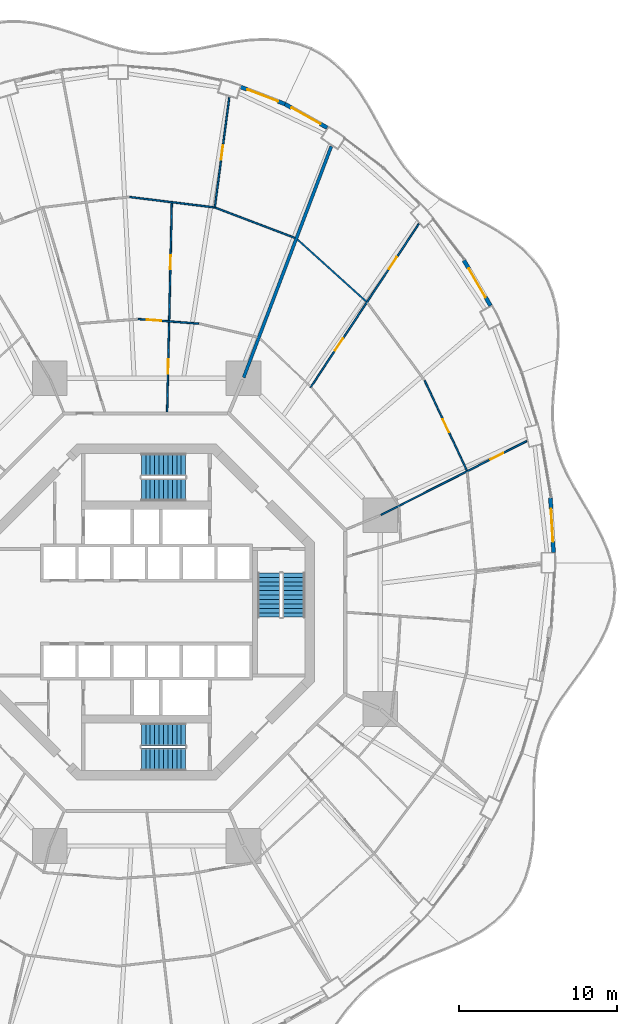
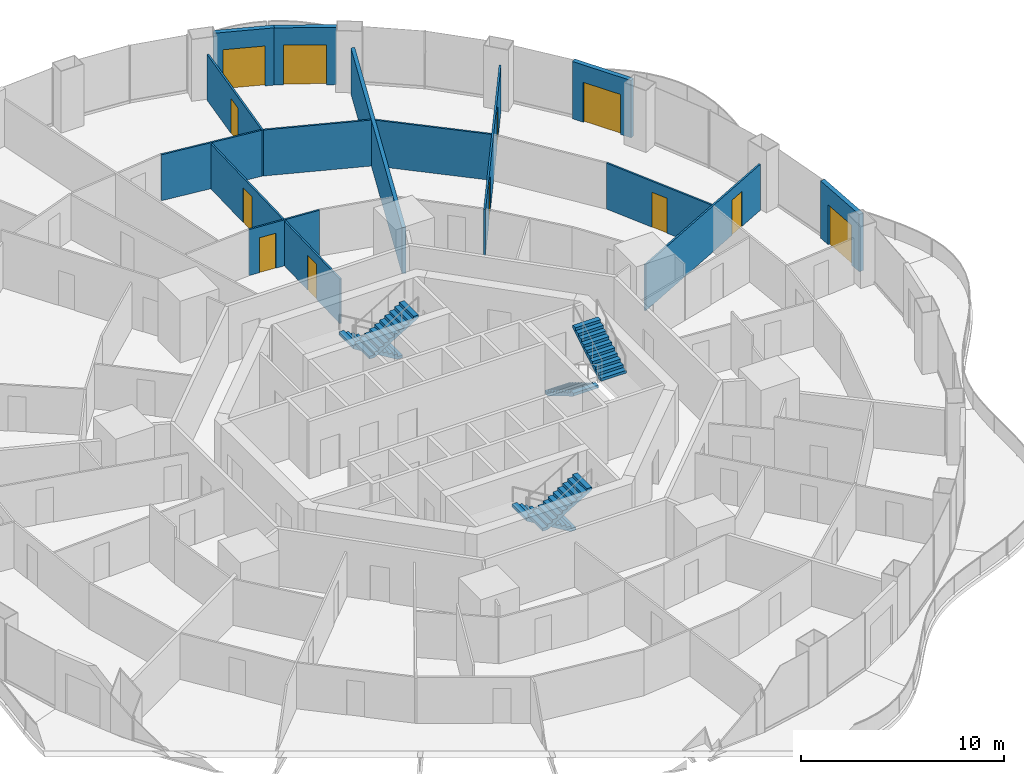
# One storey, part 19 of 22: 14 walls, 12 doors, 6 stair flights, 12 openings, 3 elements without a shape of their own.
"""IFC4 building model written with IfcOpenShell, lengths in metres."""

from ifc_helpers import new_model, si_unit, direction, frame, frame_2d, origin, place, context, subcontext, project, spatial, polyline, rectangle, outline, extrude, material, layer, layer_set, type_object, element, fill, aggregate, save


model = new_model("IFC4")

# Units and contexts
model_context = context("Model", 3, precision=1e-05, world=origin(), true_north=direction((0.0, 1.0)))
body_context = subcontext(model_context, "Body", "Model", "MODEL_VIEW")
ifc_project = project(units=[si_unit("LENGTHUNIT", "METRE"), si_unit("AREAUNIT", "SQUARE_METRE"), si_unit("VOLUMEUNIT", "CUBIC_METRE"), si_unit("PLANEANGLEUNIT", "RADIAN"), si_unit("MASSUNIT", "GRAM", prefix="KILO")], contexts=[model_context])

# Site, building, storey
site_placement = place(None, origin())
site = spatial("IfcSite", under=ifc_project, at=site_placement, CompositionType="ELEMENT")
building_placement = place(site_placement, origin())
building = spatial("IfcBuilding", under=site, at=building_placement, Name="Nagisa Residences", CompositionType="ELEMENT")
storey_placement = place(building_placement, frame((0.0, 0.0, 88.10009765625)))
storey = spatial("IfcBuildingStorey", under=building, at=storey_placement, Name="L21", CompositionType="ELEMENT", Elevation=88.10009765625)

# Wall
ifc_material_1 = material(Name="Gypsum board on steel studs", Category="steel")
ifc_layer_1 = layer(ifc_material_1, 0.199951171875)
ifc_layer_set_1 = layer_set([ifc_layer_1], Name="Apartment compartment wall EI60 200")
wall_type_1 = type_object("IfcWallType", Name="Apartment compartment wall EI60 200", PredefinedType="PARTITIONING", material=ifc_layer_set_1)
wall_1_placement = place(storey_placement, frame((6.140625, 14.828857421875, 0.0), z_axis=(0.0, 0.0, 1.0), x_axis=(0.354477134193, 0.935064682968, 0.0)))
element("IfcWall", 1, at=wall_1_placement, inside=storey, type_object=wall_type_1, Name="wall:L21:u01", PredefinedType="PARTITIONING", context=body_context, shape_type="SweptSolid", body=[
    extrude(rectangle(XDim=15.6259765625, YDim=0.199951171875, at=frame_2d((7.81298828125, 0.0))), origin(), (0.0, 0.0, 1.0), 2.761962890625),
])

# Wall, opening, door
ifc_material_2 = material(Name="Gypsum board on steel studs", Category="steel")
ifc_layer_2 = layer(ifc_material_2, 0.10009765625)
ifc_layer_set_2 = layer_set([ifc_layer_2], Name="Apartment partition 100")
wall_type_2 = type_object("IfcWallType", Name="Apartment partition 100", PredefinedType="PARTITIONING", material=ifc_layer_set_2)
wall_2_placement = place(storey_placement, frame((14.82666015625, 6.1455078125, 0.0), z_axis=(0.0, 0.0, 1.0), x_axis=(0.892068075337, 0.451901038906, 0.0)))
wall_2 = element("IfcWall", 2, at=wall_2_placement, inside=storey, type_object=wall_type_2, Name="wall:L21:u24", PredefinedType="PARTITIONING", context=body_context, shape_type="SweptSolid", body=[
    extrude(rectangle(XDim=10.31982421875, YDim=0.10009765625, at=frame_2d((5.159912109375, 0.0))), origin(), (0.0, 0.0, 1.0), 2.761962890625),
])
opening_1_placement = place(wall_2_placement, frame((7.762939453125, 0.0, 0.0)))
opening_1 = element("IfcOpeningElement", 3, at=opening_1_placement, cuts=wall_2, Name="Opening L21-U51", PredefinedType="OPENING", context=body_context, shape_type="SweptSolid", body=[
    extrude(rectangle(XDim=0.89990234375, YDim=2.10009765625, at=frame_2d((0.449951171875, 1.050048828125))), frame((0.0, 0.06005859375, 0.0), z_axis=(0.0, -1.0, 0.0), x_axis=(1.0, 0.0, 0.0)), (0.0, 0.0, 1.0), 0.1201171875),
])
ifc_material_3 = material(Name="Timber door set", Category="wood")
door_type_1 = type_object("IfcDoorType", Name="Apartment door 900x2100", OperationType="NOTDEFINED", PredefinedType="DOOR", material=ifc_material_3)
door_1_placement = place(opening_1_placement, origin())
door_1 = element("IfcDoor", 4, at=door_1_placement, inside=storey, type_object=door_type_1, Name="Door to family room, Apartment 21E", OperationType="SINGLE_SWING_LEFT", OverallHeight=2.10009765625, OverallWidth=0.89990234375, PredefinedType="DOOR", context=body_context, shape_type="SweptSolid", body=[
    extrude(rectangle(XDim=0.89990234375, YDim=2.10009765625, at=frame_2d((0.449951171875, 1.050048828125))), frame((0.0, 0.02490234375, 0.0), z_axis=(0.0, -1.0, 0.0), x_axis=(1.0, 0.0, 0.0)), (0.0, 0.0, 1.0), 0.050048828125),
])
fill(opening_1, door_1)

wall_3_placement = place(storey_placement, frame((20.252197265625, 8.949951171875, 0.0), z_axis=(0.0, 0.0, 1.0), x_axis=(-0.424580709335, 0.905390093419, 0.0)))
wall_3 = element("IfcWall", 5, at=wall_3_placement, inside=storey, type_object=wall_type_2, Name="wall:L21:u26", PredefinedType="PARTITIONING", context=body_context, shape_type="SweptSolid", body=[
    extrude(rectangle(XDim=6.304443359375, YDim=0.10009765625, at=frame_2d((3.15234375, 0.0))), origin(), (0.0, 0.0, 1.0), 2.761962890625),
])
opening_2_placement = place(wall_3_placement, frame((2.67724609375, 0.0, 0.0)))
opening_2 = element("IfcOpeningElement", 6, at=opening_2_placement, cuts=wall_3, Name="Opening L21-U53", PredefinedType="OPENING", context=body_context, shape_type="SweptSolid", body=[
    extrude(rectangle(XDim=0.89990234375, YDim=2.10009765625, at=frame_2d((0.449951171875, 1.050048828125))), frame((0.0, 0.06005859375, 0.0), z_axis=(0.0, -1.0, 0.0), x_axis=(1.0, 0.0, 0.0)), (0.0, 0.0, 1.0), 0.1201171875),
])
door_2_placement = place(opening_2_placement, origin())
door_2 = element("IfcDoor", 7, at=door_2_placement, inside=storey, type_object=door_type_1, Name="Door to dining room, Apartment 21E", OperationType="SINGLE_SWING_LEFT", OverallHeight=2.10009765625, OverallWidth=0.89990234375, PredefinedType="DOOR", context=body_context, shape_type="SweptSolid", body=[
    extrude(rectangle(XDim=0.89990234375, YDim=2.10009765625, at=frame_2d((0.449951171875, 1.050048828125))), frame((0.0, 0.02490234375, 0.0), z_axis=(0.0, -1.0, 0.0), x_axis=(1.0, 0.0, 0.0)), (0.0, 0.0, 1.0), 0.050048828125),
])
fill(opening_2, door_2)

# Wall, openings, doors
wall_4_placement = place(storey_placement, frame((10.3642578125, 14.1982421875, 0.0), z_axis=(0.0, 0.0, 1.0), x_axis=(0.552104552927, 0.833774887267, 0.0)))
wall_4 = element("IfcWall", 8, at=wall_4_placement, inside=storey, type_object=wall_type_2, Name="wall:L21:u30", PredefinedType="PARTITIONING", context=body_context, shape_type="SweptSolid", body=[
    extrude(rectangle(XDim=12.40673828125, YDim=0.10009765625, at=frame_2d((6.203369140625, 0.0))), origin(), (0.0, 0.0, 1.0), 2.761962890625),
])
opening_3_placement = place(wall_4_placement, frame((8.98779296875, 0.0, 0.0)))
opening_3 = element("IfcOpeningElement", 9, at=opening_3_placement, cuts=wall_4, Name="Opening L21-U52", PredefinedType="OPENING", context=body_context, shape_type="SweptSolid", body=[
    extrude(rectangle(XDim=0.89990234375, YDim=2.10009765625, at=frame_2d((0.449951171875, 1.050048828125))), frame((0.0, 0.06005859375, 0.0), z_axis=(0.0, -1.0, 0.0), x_axis=(1.0, 0.0, 0.0)), (0.0, 0.0, 1.0), 0.1201171875),
])
opening_4_placement = place(wall_4_placement, frame((2.809326171875, 0.0, 0.0)))
opening_4 = element("IfcOpeningElement", 10, at=opening_4_placement, cuts=wall_4, Name="Opening L21-U54", PredefinedType="OPENING", context=body_context, shape_type="SweptSolid", body=[
    extrude(rectangle(XDim=0.89990234375, YDim=2.10009765625, at=frame_2d((0.449951171875, 1.050048828125))), frame((0.0, 0.06005859375, 0.0), z_axis=(0.0, -1.0, 0.0), x_axis=(1.0, 0.0, 0.0)), (0.0, 0.0, 1.0), 0.1201171875),
])
door_3_placement = place(opening_3_placement, origin())
door_3 = element("IfcDoor", 11, at=door_3_placement, inside=storey, type_object=door_type_1, Name="Door to master bedroom, Apartment 21E", OperationType="SINGLE_SWING_RIGHT", OverallHeight=2.10009765625, OverallWidth=0.89990234375, PredefinedType="DOOR", context=body_context, shape_type="SweptSolid", body=[
    extrude(rectangle(XDim=0.89990234375, YDim=2.10009765625, at=frame_2d((0.449951171875, 1.050048828125))), frame((0.0, 0.02490234375, 0.0), z_axis=(0.0, -1.0, 0.0), x_axis=(1.0, 0.0, 0.0)), (0.0, 0.0, 1.0), 0.050048828125),
])
fill(opening_3, door_3)
door_4_placement = place(opening_4_placement, origin())
door_4 = element("IfcDoor", 12, at=door_4_placement, inside=storey, type_object=door_type_1, Name="Door to kitchen, Apartment 21E", OperationType="SINGLE_SWING_RIGHT", OverallHeight=2.10009765625, OverallWidth=0.89990234375, PredefinedType="DOOR", context=body_context, shape_type="SweptSolid", body=[
    extrude(rectangle(XDim=0.89990234375, YDim=2.10009765625, at=frame_2d((0.449951171875, 1.050048828125))), frame((0.0, 0.02490234375, 0.0), z_axis=(0.0, -1.0, 0.0), x_axis=(1.0, 0.0, 0.0)), (0.0, 0.0, 1.0), 0.050048828125),
])
fill(opening_4, door_4)

# Walls
wall_5_placement = place(storey_placement, frame((13.8984375, 19.625244140625, 0.0), z_axis=(0.0, 0.0, 1.0), x_axis=(-0.742396654702, 0.669960601146, 0.0)))
element("IfcWall", 13, at=wall_5_placement, inside=storey, type_object=wall_type_2, Name="wall:L21:u32", PredefinedType="PARTITIONING", context=body_context, shape_type="SweptSolid", body=[
    extrude(rectangle(XDim=5.861083984375, YDim=0.10009765625, at=frame_2d((2.9306640625, 0.0))), origin(), (0.0, 0.0, 1.0), 2.761962890625),
])
wall_6_placement = place(storey_placement, frame((9.37939453125, 23.654541015625, 0.0), z_axis=(0.0, 0.0, 1.0), x_axis=(-0.934613076136, 0.355666132653, 0.0)))
element("IfcWall", 14, at=wall_6_placement, inside=storey, type_object=wall_type_2, Name="wall:L21:u34", PredefinedType="PARTITIONING", context=body_context, shape_type="SweptSolid", body=[
    extrude(rectangle(XDim=5.366455078125, YDim=0.10009765625, at=frame_2d((2.68310546875, 0.0))), origin(), (0.0, 0.0, 1.0), 2.761962890625),
])

# Wall, opening, door
wall_7_placement = place(storey_placement, frame((3.299072265625, 18.23681640625, 0.0), z_axis=(0.0, 0.0, 1.0), x_axis=(-0.997152243414, 0.075414875552, 0.0)))
wall_7 = element("IfcWall", 15, at=wall_7_placement, inside=storey, type_object=wall_type_2, Name="wall:L21:u35", PredefinedType="PARTITIONING", context=body_context, shape_type="SweptSolid", body=[
    extrude(rectangle(XDim=3.845947265625, YDim=0.10009765625, at=frame_2d((1.9228515625, 0.0))), origin(), (0.0, 0.0, 1.0), 2.761962890625),
])
opening_5_placement = place(wall_7_placement, frame((2.384521484375, 0.0, 0.0)))
opening_5 = element("IfcOpeningElement", 16, at=opening_5_placement, cuts=wall_7, Name="Opening L21-U05", PredefinedType="OPENING", context=body_context, shape_type="SweptSolid", body=[
    extrude(rectangle(XDim=0.89990234375, YDim=2.10009765625, at=frame_2d((0.449951171875, 1.050048828125))), frame((0.0, 0.06005859375, 0.0), z_axis=(0.0, -1.0, 0.0), x_axis=(1.0, 0.0, 0.0)), (0.0, 0.0, 1.0), 0.1201171875),
])
door_5_placement = place(opening_5_placement, frame((0.89990234375, 0.0, 0.0), x_axis=(-1.0, 0.0, 0.0)))
door_5 = element("IfcDoor", 17, at=door_5_placement, inside=storey, type_object=door_type_1, Name="Door to kitchen, Apartment 21A", OperationType="SINGLE_SWING_RIGHT", OverallHeight=2.10009765625, OverallWidth=0.89990234375, PredefinedType="DOOR", context=body_context, shape_type="SweptSolid", body=[
    extrude(rectangle(XDim=0.89990234375, YDim=2.10009765625, at=frame_2d((0.449951171875, 1.050048828125))), frame((0.0, 0.02490234375, 0.0), z_axis=(0.0, -1.0, 0.0), x_axis=(1.0, 0.0, 0.0)), (0.0, 0.0, 1.0), 0.050048828125),
])
fill(opening_5, door_5)

wall_8_placement = place(storey_placement, frame((4.310546875, 25.531494140625, 0.0), z_axis=(0.0, 0.0, 1.0), x_axis=(0.130604008227, 0.991434613595, 0.0)))
wall_8 = element("IfcWall", 18, at=wall_8_placement, inside=storey, type_object=wall_type_2, Name="wall:L21:u36", PredefinedType="PARTITIONING", context=body_context, shape_type="SweptSolid", body=[
    extrude(rectangle(XDim=7.054931640625, YDim=0.10009765625, at=frame_2d((3.52734375, 0.0))), origin(), (0.0, 0.0, 1.0), 2.761962890625),
])
opening_6_placement = place(wall_8_placement, frame((3.102294921875, 0.0, 0.0)))
opening_6 = element("IfcOpeningElement", 19, at=opening_6_placement, cuts=wall_8, Name="Opening L21-U16", PredefinedType="OPENING", context=body_context, shape_type="SweptSolid", body=[
    extrude(rectangle(XDim=0.89990234375, YDim=2.10009765625, at=frame_2d((0.449951171875, 1.050048828125))), frame((0.0, 0.06005859375, 0.0), z_axis=(0.0, -1.0, 0.0), x_axis=(1.0, 0.0, 0.0)), (0.0, 0.0, 1.0), 0.1201171875),
])
door_6_placement = place(opening_6_placement, frame((0.89990234375, 0.0, 0.0), x_axis=(-1.0, 0.0, 0.0)))
door_6 = element("IfcDoor", 20, at=door_6_placement, inside=storey, type_object=door_type_1, Name="Door to living room, Apartment 21A", OperationType="SINGLE_SWING_LEFT", OverallHeight=2.10009765625, OverallWidth=0.89990234375, PredefinedType="DOOR", context=body_context, shape_type="SweptSolid", body=[
    extrude(rectangle(XDim=0.89990234375, YDim=2.10009765625, at=frame_2d((0.449951171875, 1.050048828125))), frame((0.0, 0.02490234375, 0.0), z_axis=(0.0, -1.0, 0.0), x_axis=(1.0, 0.0, 0.0)), (0.0, 0.0, 1.0), 0.050048828125),
])
fill(opening_6, door_6)

# Wall
wall_9_placement = place(storey_placement, frame((4.267333984375, 25.587158203125, 0.0), z_axis=(0.0, 0.0, 1.0), x_axis=(-0.992576206119, 0.121624319302, 0.0)))
element("IfcWall", 21, at=wall_9_placement, inside=storey, type_object=wall_type_2, Name="wall:L21:u37", PredefinedType="PARTITIONING", context=body_context, shape_type="SweptSolid", body=[
    extrude(rectangle(XDim=5.37353515625, YDim=0.10009765625, at=frame_2d((2.686767578125, 0.0))), origin(), (0.0, 0.0, 1.0), 2.761962890625),
])

# Wall, openings, doors
wall_10_placement = place(storey_placement, frame((1.303466796875, 12.664794921875, 0.0), z_axis=(0.0, 0.0, 1.0), x_axis=(0.022412244057, 0.999748814111, 0.0)))
wall_10 = element("IfcWall", 22, at=wall_10_placement, inside=storey, type_object=wall_type_2, Name="wall:L21:u38", PredefinedType="PARTITIONING", context=body_context, shape_type="SweptSolid", body=[
    extrude(rectangle(XDim=13.20263671875, YDim=0.10009765625, at=frame_2d((6.601318359375, 0.0))), origin(), (0.0, 0.0, 1.0), 2.68701171875),
])
opening_7_placement = place(wall_10_placement, frame((2.407470703125, 0.0, 0.0)))
opening_7 = element("IfcOpeningElement", 23, at=opening_7_placement, cuts=wall_10, Name="Opening L21-U14", PredefinedType="OPENING", context=body_context, shape_type="SweptSolid", body=[
    extrude(rectangle(XDim=0.89990234375, YDim=2.10009765625, at=frame_2d((0.449951171875, 1.050048828125))), frame((0.0, 0.06005859375, 0.0), z_axis=(0.0, -1.0, 0.0), x_axis=(1.0, 0.0, 0.0)), (0.0, 0.0, 1.0), 0.1201171875),
])
opening_8_placement = place(wall_10_placement, frame((9.0087890625, 0.0, 0.0)))
opening_8 = element("IfcOpeningElement", 24, at=opening_8_placement, cuts=wall_10, Name="Opening L21-U15", PredefinedType="OPENING", context=body_context, shape_type="SweptSolid", body=[
    extrude(rectangle(XDim=0.89990234375, YDim=2.10009765625, at=frame_2d((0.449951171875, 1.050048828125))), frame((0.0, 0.06005859375, 0.0), z_axis=(0.0, -1.0, 0.0), x_axis=(1.0, 0.0, 0.0)), (0.0, 0.0, 1.0), 0.1201171875),
])
door_7_placement = place(opening_7_placement, frame((0.89990234375, 0.0, 0.0), x_axis=(-1.0, 0.0, 0.0)))
door_7 = element("IfcDoor", 25, at=door_7_placement, inside=storey, type_object=door_type_1, Name="Door to laundry, Apartment 21A", OperationType="SINGLE_SWING_LEFT", OverallHeight=2.10009765625, OverallWidth=0.89990234375, PredefinedType="DOOR", context=body_context, shape_type="SweptSolid", body=[
    extrude(rectangle(XDim=0.89990234375, YDim=2.10009765625, at=frame_2d((0.449951171875, 1.050048828125))), frame((0.0, 0.02490234375, 0.0), z_axis=(0.0, -1.0, 0.0), x_axis=(1.0, 0.0, 0.0)), (0.0, 0.0, 1.0), 0.050048828125),
])
fill(opening_7, door_7)
door_8_placement = place(opening_8_placement, frame((0.89990234375, 0.0, 0.0), x_axis=(-1.0, 0.0, 0.0)))
door_8 = element("IfcDoor", 26, at=door_8_placement, inside=storey, type_object=door_type_1, Name="Door to dining room, Apartment 21A", OperationType="SINGLE_SWING_RIGHT", OverallHeight=2.10009765625, OverallWidth=0.89990234375, PredefinedType="DOOR", context=body_context, shape_type="SweptSolid", body=[
    extrude(rectangle(XDim=0.89990234375, YDim=2.10009765625, at=frame_2d((0.449951171875, 1.050048828125))), frame((0.0, 0.02490234375, 0.0), z_axis=(0.0, -1.0, 0.0), x_axis=(1.0, 0.0, 0.0)), (0.0, 0.0, 1.0), 0.050048828125),
])
fill(opening_8, door_8)

# Wall, opening, door
ifc_material_4 = material(Name="Precast concrete C40/50", Category="concrete")
ifc_layer_3 = layer(ifc_material_4, 0.25)
ifc_layer_set_3 = layer_set([ifc_layer_3], Name="BALCONY DOOR WALL 250")
wall_type_3 = type_object("IfcWallType", Name="BALCONY DOOR WALL 250", PredefinedType="SOLIDWALL", material=ifc_layer_set_3)
wall_11_placement = place(storey_placement, frame((25.533203125, 7.22412109375, 0.0), z_axis=(0.0, 0.0, 1.0), x_axis=(0.057546644052, -0.998342818754, 0.0)))
wall_11 = element("IfcWall", 27, at=wall_11_placement, inside=storey, type_object=wall_type_3, Name="wall:L21:bay00", PredefinedType="SOLIDWALL", context=body_context, shape_type="SweptSolid", body=[
    extrude(rectangle(XDim=3.470458984375, YDim=0.25, at=frame_2d((1.7353515625, 0.0))), origin(), (0.0, 0.0, 1.0), 3.43994140625),
])
opening_9_placement = place(wall_11_placement, frame((0.68505859375, 0.0, 0.0)))
opening_9 = element("IfcOpeningElement", 28, at=opening_9_placement, cuts=wall_11, Name="Opening BD-L21-01", PredefinedType="OPENING", context=body_context, shape_type="SweptSolid", body=[
    extrude(rectangle(XDim=2.10009765625, YDim=2.39990234375, at=frame_2d((1.050048828125, 1.199951171875))), frame((0.0, 0.135009765625, 0.0), z_axis=(0.0, -1.0, 0.0), x_axis=(1.0, 0.0, 0.0)), (0.0, 0.0, 1.0), 0.27001953125),
])
ifc_material_5 = material(Name="Aluminium and clear glass", Category="aluminium")
door_type_2 = type_object("IfcDoorType", Name="BALCONY SLIDING DOOR 2100x2400", OperationType="SLIDING_TO_LEFT", PredefinedType="DOOR", material=ifc_material_5)
door_9_placement = place(opening_9_placement, origin())
door_9 = element("IfcDoor", 29, at=door_9_placement, inside=storey, type_object=door_type_2, Name="door:L21:bay00", OperationType="SLIDING_TO_LEFT", OverallHeight=2.39990234375, OverallWidth=2.10009765625, PredefinedType="DOOR", context=body_context, shape_type="SweptSolid", body=[
    extrude(rectangle(XDim=2.10009765625, YDim=2.39990234375, at=frame_2d((1.050048828125, 1.199951171875))), frame((0.0, 0.02490234375, 0.0), z_axis=(0.0, -1.0, 0.0), x_axis=(1.0, 0.0, 0.0)), (0.0, 0.0, 1.0), 0.050048828125),
])
fill(opening_9, door_9)

wall_12_placement = place(storey_placement, frame((20.064208984375, 22.239501953125, 0.0), z_axis=(0.0, 0.0, 1.0), x_axis=(0.506297921217, -0.862358634775, 0.0)))
wall_12 = element("IfcWall", 30, at=wall_12_placement, inside=storey, type_object=wall_type_3, Name="wall:L21:bay04", PredefinedType="SOLIDWALL", context=body_context, shape_type="SweptSolid", body=[
    extrude(rectangle(XDim=3.32470703125, YDim=0.25, at=frame_2d((1.662353515625, 0.0))), origin(), (0.0, 0.0, 1.0), 3.43994140625),
])
opening_10_placement = place(wall_12_placement, frame((0.6123046875, 0.0, 0.0)))
opening_10 = element("IfcOpeningElement", 31, at=opening_10_placement, cuts=wall_12, Name="Opening BD-L21-02", PredefinedType="OPENING", context=body_context, shape_type="SweptSolid", body=[
    extrude(rectangle(XDim=2.10009765625, YDim=2.39990234375, at=frame_2d((1.050048828125, 1.199951171875))), frame((0.0, 0.135009765625, 0.0), z_axis=(0.0, -1.0, 0.0), x_axis=(1.0, 0.0, 0.0)), (0.0, 0.0, 1.0), 0.27001953125),
])
door_10_placement = place(opening_10_placement, origin())
door_10 = element("IfcDoor", 32, at=door_10_placement, inside=storey, type_object=door_type_2, Name="door:L21:bay04", OperationType="SLIDING_TO_LEFT", OverallHeight=2.39990234375, OverallWidth=2.10009765625, PredefinedType="DOOR", context=body_context, shape_type="SweptSolid", body=[
    extrude(rectangle(XDim=2.10009765625, YDim=2.39990234375, at=frame_2d((1.050048828125, 1.199951171875))), frame((0.0, 0.02490234375, 0.0), z_axis=(0.0, -1.0, 0.0), x_axis=(1.0, 0.0, 0.0)), (0.0, 0.0, 1.0), 0.050048828125),
])
fill(opening_10, door_10)

wall_13_placement = place(storey_placement, frame((8.7373046875, 32.124755859375, 0.0), z_axis=(0.0, 0.0, 1.0), x_axis=(0.872071158476, -0.489379090843, 0.0)))
wall_13 = element("IfcWall", 33, at=wall_13_placement, inside=storey, type_object=wall_type_3, Name="wall:L21:bay08", PredefinedType="SOLIDWALL", context=body_context, shape_type="SweptSolid", body=[
    extrude(rectangle(XDim=3.07568359375, YDim=0.25, at=frame_2d((1.537841796875, 0.0))), origin(), (0.0, 0.0, 1.0), 3.43994140625),
])
opening_11_placement = place(wall_13_placement, frame((0.48779296875, 0.0, 0.0)))
opening_11 = element("IfcOpeningElement", 34, at=opening_11_placement, cuts=wall_13, Name="Opening BD-L21-03", PredefinedType="OPENING", context=body_context, shape_type="SweptSolid", body=[
    extrude(rectangle(XDim=2.10009765625, YDim=2.39990234375, at=frame_2d((1.050048828125, 1.199951171875))), frame((0.0, 0.135009765625, 0.0), z_axis=(0.0, -1.0, 0.0), x_axis=(1.0, 0.0, 0.0)), (0.0, 0.0, 1.0), 0.27001953125),
])
door_11_placement = place(opening_11_placement, origin())
door_11 = element("IfcDoor", 35, at=door_11_placement, inside=storey, type_object=door_type_2, Name="door:L21:bay08", OperationType="SLIDING_TO_LEFT", OverallHeight=2.39990234375, OverallWidth=2.10009765625, PredefinedType="DOOR", context=body_context, shape_type="SweptSolid", body=[
    extrude(rectangle(XDim=2.10009765625, YDim=2.39990234375, at=frame_2d((1.050048828125, 1.199951171875))), frame((0.0, 0.02490234375, 0.0), z_axis=(0.0, -1.0, 0.0), x_axis=(1.0, 0.0, 0.0)), (0.0, 0.0, 1.0), 0.050048828125),
])
fill(opening_11, door_11)

wall_14_placement = place(storey_placement, frame((5.92919921875, 33.2080078125, 0.0), z_axis=(0.0, 0.0, 1.0), x_axis=(0.932837560624, -0.360297218263, 0.0)))
wall_14 = element("IfcWall", 36, at=wall_14_placement, inside=storey, type_object=wall_type_3, Name="wall:L21:bay09", PredefinedType="SOLIDWALL", context=body_context, shape_type="SweptSolid", body=[
    extrude(rectangle(XDim=3.027587890625, YDim=0.25, at=frame_2d((1.513671875, 0.0))), origin(), (0.0, 0.0, 1.0), 3.43994140625),
])
opening_12_placement = place(wall_14_placement, frame((0.463623046875, 0.0, 0.0)))
opening_12 = element("IfcOpeningElement", 37, at=opening_12_placement, cuts=wall_14, Name="Opening BD-L21-04", PredefinedType="OPENING", context=body_context, shape_type="SweptSolid", body=[
    extrude(rectangle(XDim=2.10009765625, YDim=2.39990234375, at=frame_2d((1.050048828125, 1.199951171875))), frame((0.0, 0.135009765625, 0.0), z_axis=(0.0, -1.0, 0.0), x_axis=(1.0, 0.0, 0.0)), (0.0, 0.0, 1.0), 0.27001953125),
])
door_12_placement = place(opening_12_placement, origin())
door_12 = element("IfcDoor", 38, at=door_12_placement, inside=storey, type_object=door_type_2, Name="door:L21:bay09", OperationType="SLIDING_TO_LEFT", OverallHeight=2.39990234375, OverallWidth=2.10009765625, PredefinedType="DOOR", context=body_context, shape_type="SweptSolid", body=[
    extrude(rectangle(XDim=2.10009765625, YDim=2.39990234375, at=frame_2d((1.050048828125, 1.199951171875))), frame((0.0, 0.02490234375, 0.0), z_axis=(0.0, -1.0, 0.0), x_axis=(1.0, 0.0, 0.0)), (0.0, 0.0, 1.0), 0.050048828125),
])
fill(opening_12, door_12)

# Stair, stair flights
ifc_material_6 = material(Name="Concrete C60", Category="concrete")
stair_type = type_object("IfcStairType", Name="Exit stair", PredefinedType="HALF_TURN_STAIR", material=ifc_material_6)
stair_1_placement = place(storey_placement, origin())
stair_1 = element("IfcStair", 39, at=stair_1_placement, inside=storey, type_object=stair_type, Name="L21 Exit stair E", PredefinedType="HALF_TURN_STAIR")
ifc_material_7 = material(Name="Concrete C60", Category="concrete")
stair_flight_type = type_object("IfcStairFlightType", Name="Exit stair flight", PredefinedType="STRAIGHT", material=ifc_material_7)
stair_flight_1_placement = place(storey_placement, frame((7.737060546875, 2.47509765625, 0.0), z_axis=(0.0, 0.0, 1.0), x_axis=(0.0, -1.0, 0.0)))
stair_flight_1 = element("IfcStairFlight", 40, at=stair_flight_1_placement, type_object=stair_flight_type, Name="ST-E flight 1", NumberOfRisers=11, NumberOfTreads=10, PredefinedType="STRAIGHT", RiserHeight=0.168181818, TreadLength=0.28, context=body_context, shape_type="SweptSolid", body=[
    extrude(outline(polyline([(0.0, 0.0), (0.0, 0.168212890625), (0.280029296875, 0.168212890625), (0.280029296875, 0.33642578125), (0.56005859375, 0.33642578125), (0.56005859375, 0.504638671875), (0.840087890625, 0.504638671875), (0.840087890625, 0.672607421875), (1.1201171875, 0.672607421875), (1.1201171875, 0.8408203125), (1.39990234375, 0.8408203125), (1.39990234375, 1.009033203125), (1.679931640625, 1.009033203125), (1.679931640625, 1.17724609375), (1.9599609375, 1.17724609375), (1.9599609375, 1.345458984375), (2.239990234375, 1.345458984375), (2.239990234375, 1.513671875), (2.52001953125, 1.513671875), (2.52001953125, 1.681884765625), (2.800048828125, 1.681884765625), (2.800048828125, 1.85009765625), (2.800048828125, 1.5068359375), (0.291015625, 0.0), (0.0, 0.0)])), frame((0.0, 0.71240234375, 0.0), z_axis=(0.0, -1.0, 0.0), x_axis=(1.0, 0.0, 0.0)), (0.0, 0.0, 1.0), 1.425048828125),
])
stair_flight_2_placement = place(storey_placement, frame((9.31201171875, -0.324951171875, 1.849853515625), z_axis=(0.0, 0.0, 1.0), x_axis=(0.0, 1.0, 0.0)))
stair_flight_2 = element("IfcStairFlight", 41, at=stair_flight_2_placement, type_object=stair_flight_type, Name="ST-E flight 2", NumberOfRisers=11, NumberOfTreads=10, PredefinedType="STRAIGHT", RiserHeight=0.168181818, TreadLength=0.28, context=body_context, shape_type="SweptSolid", body=[
    extrude(outline(polyline([(0.0, 0.0), (0.0, 0.168212890625), (0.280029296875, 0.168212890625), (0.280029296875, 0.33642578125), (0.56005859375, 0.33642578125), (0.56005859375, 0.504638671875), (0.840087890625, 0.504638671875), (0.840087890625, 0.672607421875), (1.1201171875, 0.672607421875), (1.1201171875, 0.8408203125), (1.39990234375, 0.8408203125), (1.39990234375, 1.009033203125), (1.679931640625, 1.009033203125), (1.679931640625, 1.17724609375), (1.9599609375, 1.17724609375), (1.9599609375, 1.345458984375), (2.239990234375, 1.345458984375), (2.239990234375, 1.513671875), (2.52001953125, 1.513671875), (2.52001953125, 1.681884765625), (2.800048828125, 1.681884765625), (2.800048828125, 1.85009765625), (2.800048828125, 1.5068359375), (0.291015625, 0.0), (0.0, 0.0)])), frame((0.0, 0.71240234375, 0.0), z_axis=(0.0, -1.0, 0.0), x_axis=(1.0, 0.0, 0.0)), (0.0, 0.0, 1.0), 1.425048828125),
])
aggregate(stair_1, [stair_flight_1, stair_flight_2])

stair_2_placement = place(storey_placement, origin())
stair_2 = element("IfcStair", 42, at=stair_2_placement, inside=storey, type_object=stair_type, Name="L21 Exit stair N", PredefinedType="HALF_TURN_STAIR")
stair_flight_3_placement = place(storey_placement, frame((2.47509765625, 9.31201171875, 0.0), z_axis=(0.0, 0.0, 1.0), x_axis=(-1.0, 0.0, 0.0)))
stair_flight_3 = element("IfcStairFlight", 43, at=stair_flight_3_placement, type_object=stair_flight_type, Name="ST-N flight 1", NumberOfRisers=11, NumberOfTreads=10, PredefinedType="STRAIGHT", RiserHeight=0.168181818, TreadLength=0.28, context=body_context, shape_type="SweptSolid", body=[
    extrude(outline(polyline([(0.0, 0.0), (0.0, 0.168212890625), (0.280029296875, 0.168212890625), (0.280029296875, 0.33642578125), (0.56005859375, 0.33642578125), (0.56005859375, 0.504638671875), (0.840087890625, 0.504638671875), (0.840087890625, 0.672607421875), (1.1201171875, 0.672607421875), (1.1201171875, 0.8408203125), (1.39990234375, 0.8408203125), (1.39990234375, 1.009033203125), (1.679931640625, 1.009033203125), (1.679931640625, 1.17724609375), (1.9599609375, 1.17724609375), (1.9599609375, 1.345458984375), (2.239990234375, 1.345458984375), (2.239990234375, 1.513671875), (2.52001953125, 1.513671875), (2.52001953125, 1.681884765625), (2.800048828125, 1.681884765625), (2.800048828125, 1.85009765625), (2.800048828125, 1.5068359375), (0.291015625, 0.0), (0.0, 0.0)])), frame((0.0, 0.71240234375, 0.0), z_axis=(0.0, -1.0, 0.0), x_axis=(1.0, 0.0, 0.0)), (0.0, 0.0, 1.0), 1.425048828125),
])
stair_flight_4_placement = place(storey_placement, frame((-0.324951171875, 7.737060546875, 1.849853515625), z_axis=(0.0, 0.0, 1.0), x_axis=(1.0, 0.0, 0.0)))
stair_flight_4 = element("IfcStairFlight", 44, at=stair_flight_4_placement, type_object=stair_flight_type, Name="ST-N flight 2", NumberOfRisers=11, NumberOfTreads=10, PredefinedType="STRAIGHT", RiserHeight=0.168181818, TreadLength=0.28, context=body_context, shape_type="SweptSolid", body=[
    extrude(outline(polyline([(0.0, 0.0), (0.0, 0.168212890625), (0.280029296875, 0.168212890625), (0.280029296875, 0.33642578125), (0.56005859375, 0.33642578125), (0.56005859375, 0.504638671875), (0.840087890625, 0.504638671875), (0.840087890625, 0.672607421875), (1.1201171875, 0.672607421875), (1.1201171875, 0.8408203125), (1.39990234375, 0.8408203125), (1.39990234375, 1.009033203125), (1.679931640625, 1.009033203125), (1.679931640625, 1.17724609375), (1.9599609375, 1.17724609375), (1.9599609375, 1.345458984375), (2.239990234375, 1.345458984375), (2.239990234375, 1.513671875), (2.52001953125, 1.513671875), (2.52001953125, 1.681884765625), (2.800048828125, 1.681884765625), (2.800048828125, 1.85009765625), (2.800048828125, 1.5068359375), (0.291015625, 0.0), (0.0, 0.0)])), frame((0.0, 0.71240234375, 0.0), z_axis=(0.0, -1.0, 0.0), x_axis=(1.0, 0.0, 0.0)), (0.0, 0.0, 1.0), 1.425048828125),
])
aggregate(stair_2, [stair_flight_3, stair_flight_4])

stair_3_placement = place(storey_placement, origin())
stair_3 = element("IfcStair", 45, at=stair_3_placement, inside=storey, type_object=stair_type, Name="L21 Exit stair S", PredefinedType="HALF_TURN_STAIR")
stair_flight_5_placement = place(storey_placement, frame((2.47509765625, -7.737060546875, 0.0), z_axis=(0.0, 0.0, 1.0), x_axis=(-1.0, 0.0, 0.0)))
stair_flight_5 = element("IfcStairFlight", 46, at=stair_flight_5_placement, type_object=stair_flight_type, Name="ST-S flight 1", NumberOfRisers=11, NumberOfTreads=10, PredefinedType="STRAIGHT", RiserHeight=0.168181818, TreadLength=0.28, context=body_context, shape_type="SweptSolid", body=[
    extrude(outline(polyline([(0.0, 0.0), (0.0, 0.168212890625), (0.280029296875, 0.168212890625), (0.280029296875, 0.33642578125), (0.56005859375, 0.33642578125), (0.56005859375, 0.504638671875), (0.840087890625, 0.504638671875), (0.840087890625, 0.672607421875), (1.1201171875, 0.672607421875), (1.1201171875, 0.8408203125), (1.39990234375, 0.8408203125), (1.39990234375, 1.009033203125), (1.679931640625, 1.009033203125), (1.679931640625, 1.17724609375), (1.9599609375, 1.17724609375), (1.9599609375, 1.345458984375), (2.239990234375, 1.345458984375), (2.239990234375, 1.513671875), (2.52001953125, 1.513671875), (2.52001953125, 1.681884765625), (2.800048828125, 1.681884765625), (2.800048828125, 1.85009765625), (2.800048828125, 1.5068359375), (0.291015625, 0.0), (0.0, 0.0)])), frame((0.0, 0.71240234375, 0.0), z_axis=(0.0, -1.0, 0.0), x_axis=(1.0, 0.0, 0.0)), (0.0, 0.0, 1.0), 1.425048828125),
])
stair_flight_6_placement = place(storey_placement, frame((-0.324951171875, -9.31201171875, 1.849853515625), z_axis=(0.0, 0.0, 1.0), x_axis=(1.0, 0.0, 0.0)))
stair_flight_6 = element("IfcStairFlight", 47, at=stair_flight_6_placement, type_object=stair_flight_type, Name="ST-S flight 2", NumberOfRisers=11, NumberOfTreads=10, PredefinedType="STRAIGHT", RiserHeight=0.168181818, TreadLength=0.28, context=body_context, shape_type="SweptSolid", body=[
    extrude(outline(polyline([(0.0, 0.0), (0.0, 0.168212890625), (0.280029296875, 0.168212890625), (0.280029296875, 0.33642578125), (0.56005859375, 0.33642578125), (0.56005859375, 0.504638671875), (0.840087890625, 0.504638671875), (0.840087890625, 0.672607421875), (1.1201171875, 0.672607421875), (1.1201171875, 0.8408203125), (1.39990234375, 0.8408203125), (1.39990234375, 1.009033203125), (1.679931640625, 1.009033203125), (1.679931640625, 1.17724609375), (1.9599609375, 1.17724609375), (1.9599609375, 1.345458984375), (2.239990234375, 1.345458984375), (2.239990234375, 1.513671875), (2.52001953125, 1.513671875), (2.52001953125, 1.681884765625), (2.800048828125, 1.681884765625), (2.800048828125, 1.85009765625), (2.800048828125, 1.5068359375), (0.291015625, 0.0), (0.0, 0.0)])), frame((0.0, 0.71240234375, 0.0), z_axis=(0.0, -1.0, 0.0), x_axis=(1.0, 0.0, 0.0)), (0.0, 0.0, 1.0), 1.425048828125),
])
aggregate(stair_3, [stair_flight_5, stair_flight_6])

save(model, "model.ifc")
